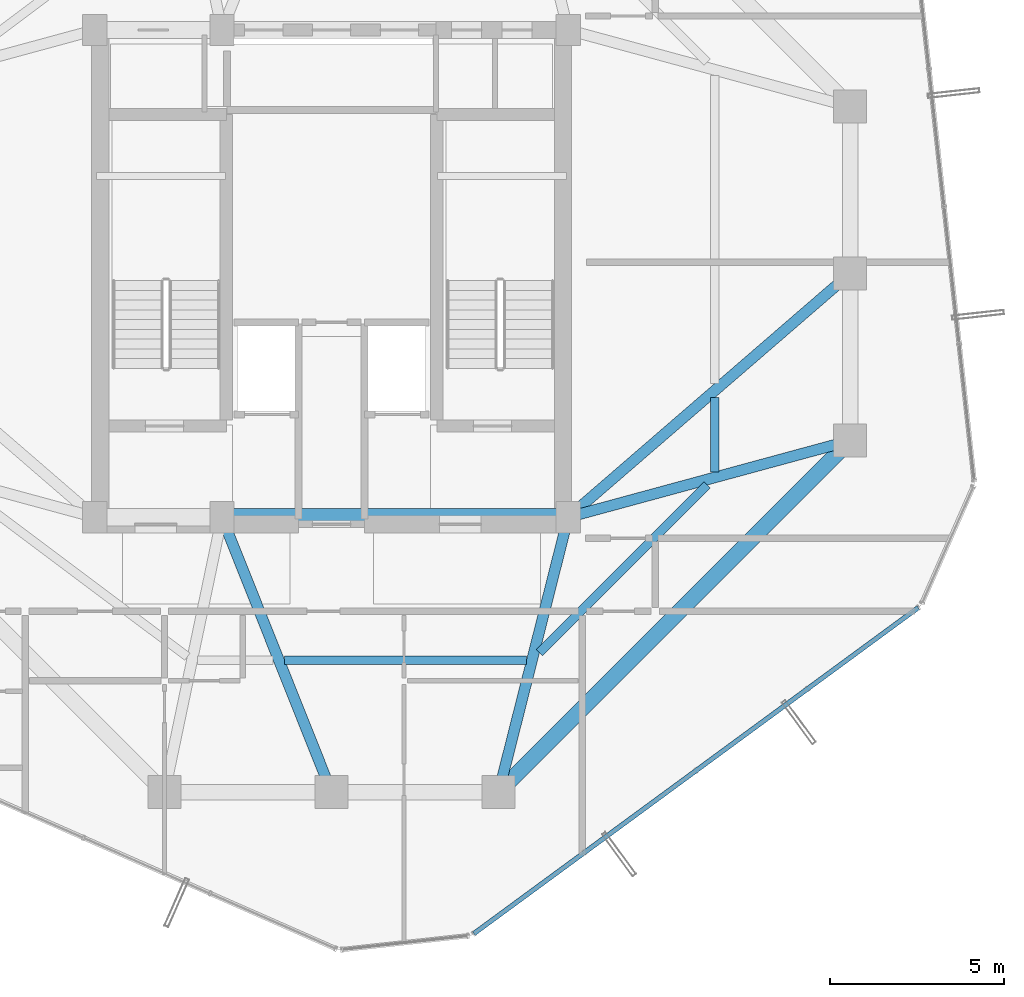
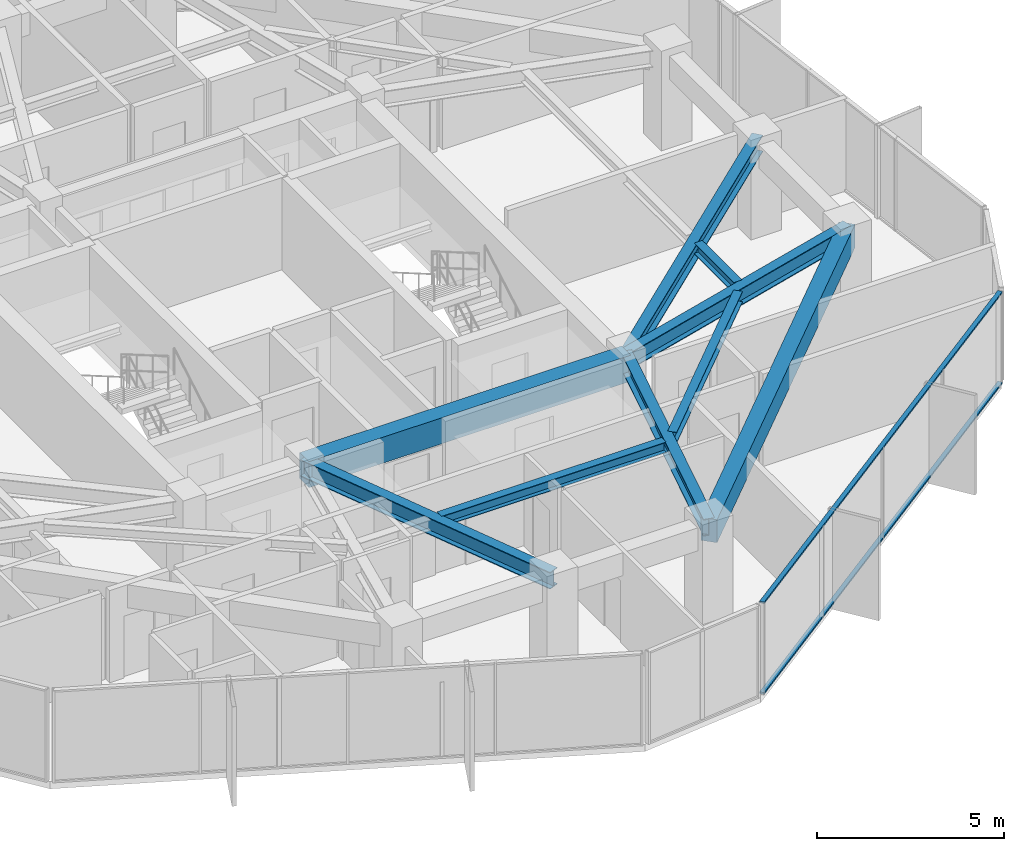
# One storey, part 9 of 32: 9 beams, 2 members, 1 element without a shape of its own.
"""IFC4 building model written with IfcOpenShell, lengths in metres."""

from ifc_helpers import new_model, si_unit, direction, frame, origin, origin_2d, place, context, subcontext, project, spatial, rectangle, hollow_rectangle, i_section, extrude, source, transform, mapped, material, layer, layer_set, material_profile, profile_set, type_object, element, aggregate, save


model = new_model("IFC4")

# Units and contexts
model_context = context("Model", 3, precision=1e-05, world=origin(), true_north=direction((0.0, 1.0)))
body_context = subcontext(model_context, "Body", "Model", "MODEL_VIEW")
ifc_project = project(units=[si_unit("LENGTHUNIT", "METRE"), si_unit("AREAUNIT", "SQUARE_METRE"), si_unit("VOLUMEUNIT", "CUBIC_METRE"), si_unit("PLANEANGLEUNIT", "RADIAN"), si_unit("MASSUNIT", "GRAM", prefix="KILO")], contexts=[model_context])

# Site, building, storey
site_placement = place(None, origin())
site = spatial("IfcSite", under=ifc_project, at=site_placement, CompositionType="ELEMENT")
building_placement = place(site_placement, origin())
building = spatial("IfcBuilding", under=site, at=building_placement, Name="Veraguas Prism Commons", CompositionType="ELEMENT")
storey_placement = place(building_placement, frame((0.0, 0.0, 185.35009765625)))
storey = spatial("IfcBuildingStorey", under=building, at=storey_placement, Name="L52", CompositionType="ELEMENT", Elevation=185.35009765625)

# Beams
ifc_material_1 = material(Name="Concrete C50/60", Category="concrete")
ifc_material_profile_1 = material_profile(ifc_material_1, rectangle(XDim=0.5, YDim=0.85009765625, at=origin_2d()), Name="RC500X850")
ifc_profile_set_1 = profile_set([ifc_material_profile_1], Name="Concrete C50/60")
beam_type_1 = type_object("IfcBeamType", Name="Core Coupling Beam RC 500x850", PredefinedType="BEAM", material=ifc_profile_set_1)
beam_1_placement = place(storey_placement, frame((20.85009765625, 17.0, 2.58984375), z_axis=(1.0, 0.0, 0.0), x_axis=(0.0, 1.0, 0.0)))
element("IfcBeam", 1, at=beam_1_placement, inside=storey, type_object=beam_type_1, Name="Core Coupling Beam L52-CRS2", PredefinedType="BEAM", context=body_context, shape_type="SweptSolid", body=[
    extrude(rectangle(XDim=0.5, YDim=0.85009765625, at=origin_2d()), origin(), (0.0, 0.0, 1.0), 9.949951171875),
])
ifc_material_profile_2 = material_profile(ifc_material_1, rectangle(XDim=0.449951171875, YDim=0.75, at=origin_2d()), Name="RC450X750")
ifc_profile_set_2 = profile_set([ifc_material_profile_2], Name="Concrete C50/60")
beam_type_2 = type_object("IfcBeamType", Name="Perimeter Spandrel Upper RC 450x750", PredefinedType="SPANDREL", material=ifc_profile_set_2)
beam_2_placement = place(storey_placement, frame((28.800048828125, 9.10009765625, 2.639892578125), z_axis=(0.707106781187, 0.707106781187, 0.0), x_axis=(-0.707106781187, 0.707106781187, 0.0)))
element("IfcBeam", 2, at=beam_2_placement, inside=storey, type_object=beam_type_2, Name="Perimeter Spandrel Beam L52-SP12", PredefinedType="SPANDREL", context=body_context, shape_type="SweptSolid", body=[
    extrude(rectangle(XDim=0.449951171875, YDim=0.75, at=origin_2d()), origin(), (0.0, 0.0, 1.0), 14.283447265625),
])
ifc_material_2 = material(Name="Steel ASTM A992 Grade 50", Category="steel")
ifc_material_profile_3 = material_profile(ifc_material_2, i_section(OverallWidth=0.25390625, OverallDepth=0.35302734375, WebThickness=0.009521484375, FlangeThickness=0.016357421875, at=origin_2d()), Name="W360X91")
ifc_profile_set_3 = profile_set([ifc_material_profile_3], Name="Steel ASTM A992 Grade 50")
beam_type_3 = type_object("IfcBeamType", Name="Upper Floor Joist W360x91", PredefinedType="JOIST", material=ifc_profile_set_3)
beam_3_placement = place(storey_placement, frame((35.011962890625, 18.302978515625, 2.83837890625), z_axis=(0.0, 1.0, 0.0), x_axis=(-1.0, 0.0, 0.0)))
element("IfcBeam", 3, at=beam_3_placement, inside=storey, type_object=beam_type_3, Name="Composite Floor Joist L52-JS01", PredefinedType="JOIST", context=body_context, shape_type="SweptSolid", body=[
    extrude(i_section(OverallWidth=0.25390625, OverallDepth=0.35302734375, WebThickness=0.009521484375, FlangeThickness=0.016357421875, at=origin_2d()), origin(), (0.0, 0.0, 1.0), 2.134033203125),
])
beam_4_placement = place(storey_placement, frame((22.6533203125, 12.89208984375, 2.83837890625), z_axis=(1.0, 0.0, 0.0), x_axis=(0.0, 1.0, 0.0)))
element("IfcBeam", 4, at=beam_4_placement, inside=storey, type_object=beam_type_3, Name="Composite Floor Joist L52-JS11", PredefinedType="JOIST", context=body_context, shape_type="SweptSolid", body=[
    extrude(i_section(OverallWidth=0.25390625, OverallDepth=0.35302734375, WebThickness=0.009521484375, FlangeThickness=0.016357421875, at=origin_2d()), origin(), (0.0, 0.0, 1.0), 6.948486328125),
])
beam_5_placement = place(storey_placement, frame((29.971923828125, 13.10400390625, 2.83837890625), z_axis=(0.707124682851, 0.707088879069, 0.0), x_axis=(-0.707088879069, 0.707124682851, 0.0)))
element("IfcBeam", 5, at=beam_5_placement, inside=storey, type_object=beam_type_3, Name="Composite Floor Joist L52-JS12", PredefinedType="JOIST", context=body_context, shape_type="SweptSolid", body=[
    extrude(i_section(OverallWidth=0.25390625, OverallDepth=0.35302734375, WebThickness=0.009521484375, FlangeThickness=0.016357421875, at=origin_2d()), origin(), (0.0, 0.0, 1.0), 6.81884765625),
])
ifc_material_profile_4 = material_profile(ifc_material_2, i_section(OverallWidth=0.31103515625, OverallDepth=0.5458984375, WebThickness=0.0146484375, FlangeThickness=0.023681640625, at=origin_2d()), Name="W530X165")
ifc_profile_set_4 = profile_set([ifc_material_profile_4], Name="Steel ASTM A992 Grade 50")
beam_type_4 = type_object("IfcBeamType", Name="Zone 3 Radial Girder W530x165", PredefinedType="BEAM", material=ifc_profile_set_4)
beam_6_placement = place(storey_placement, frame((38.89990234375, 19.199951171875, 2.741943359375), z_axis=(-0.965038506703, -0.262108146725, 0.0), x_axis=(0.262108146725, -0.965038506703, 0.0)))
element("IfcBeam", 6, at=beam_6_placement, inside=storey, type_object=beam_type_4, Name="Radial Floor Girder L52-RD01", PredefinedType="BEAM", context=body_context, shape_type="SweptSolid", body=[
    extrude(i_section(OverallWidth=0.31103515625, OverallDepth=0.5458984375, WebThickness=0.0146484375, FlangeThickness=0.023681640625, at=origin_2d()), origin(), (0.0, 0.0, 1.0), 8.393310546875),
])
beam_7_placement = place(storey_placement, frame((38.89990234375, 24.0, 2.741943359375), z_axis=(-0.756607086554, -0.653869800936, 0.0), x_axis=(0.653869800936, -0.756607086554, 0.0)))
element("IfcBeam", 7, at=beam_7_placement, inside=storey, type_object=beam_type_4, Name="Radial Floor Girder L52-RD02", PredefinedType="BEAM", context=body_context, shape_type="SweptSolid", body=[
    extrude(i_section(OverallWidth=0.31103515625, OverallDepth=0.5458984375, WebThickness=0.0146484375, FlangeThickness=0.023681640625, at=origin_2d()), origin(), (0.0, 0.0, 1.0), 10.70556640625),
])
beam_8_placement = place(storey_placement, frame((24.0, 9.10009765625, 2.741943359375), z_axis=(-0.370370877803, 0.928883960931, 0.0), x_axis=(-0.928883960931, -0.370370877803, 0.0)))
element("IfcBeam", 8, at=beam_8_placement, inside=storey, type_object=beam_type_4, Name="Radial Floor Girder L52-RD11", PredefinedType="BEAM", context=body_context, shape_type="SweptSolid", body=[
    extrude(i_section(OverallWidth=0.31103515625, OverallDepth=0.5458984375, WebThickness=0.0146484375, FlangeThickness=0.023681640625, at=origin_2d()), origin(), (0.0, 0.0, 1.0), 8.504638671875),
])
beam_9_placement = place(storey_placement, frame((28.800048828125, 9.10009765625, 2.741943359375), z_axis=(0.245424718066, 0.969415652732, 0.0), x_axis=(-0.969415652732, 0.245424718066, 0.0)))
element("IfcBeam", 9, at=beam_9_placement, inside=storey, type_object=beam_type_4, Name="Radial Floor Girder L52-RD12", PredefinedType="BEAM", context=body_context, shape_type="SweptSolid", body=[
    extrude(i_section(OverallWidth=0.31103515625, OverallDepth=0.5458984375, WebThickness=0.0146484375, FlangeThickness=0.023681640625, at=origin_2d()), origin(), (0.0, 0.0, 1.0), 8.149169921875),
])

# Curtain wall, members
ifc_material_3 = material(Name="Anodised aluminium EN AW-6063 T6", Category="aluminium")
ifc_layer = layer(ifc_material_3, 0.14990234375, Name="Unitised Flush Curtain Wall Zone 3", Category="aluminium")
ifc_layer_set = layer_set([ifc_layer], Name="Anodised aluminium EN AW-6063 T6")
curtain_wall_type = type_object("IfcCurtainWallType", Name="Unitised Flush Curtain Wall Zone 3", PredefinedType="NOTDEFINED", material=ifc_layer_set)
curtain_wall_placement = place(storey_placement, origin())
curtain_wall = element("IfcCurtainWall", 10, at=curtain_wall_placement, inside=storey, type_object=curtain_wall_type, Name="Tower Facade Curtain Wall L52-F5", PredefinedType="NOTDEFINED")
ifc_material_profile_5 = material_profile(ifc_material_3, hollow_rectangle(XDim=0.054931640625, YDim=0.135009765625, WallThickness=0.0029296875, at=origin_2d()), Name="AL55X135X3")
ifc_profile_set_5 = profile_set([ifc_material_profile_5], Name="Anodised aluminium EN AW-6063 T6")
member_type = type_object("IfcMemberType", Name="Curtain Wall Transom Standard AL 55x135x3", PredefinedType="USERDEFINED", material=ifc_profile_set_5)
shared_shape = source(origin(), body_context, "Body", "SweptSolid", [
    extrude(hollow_rectangle(XDim=0.054931640625, YDim=0.135009765625, WallThickness=0.0029296875, at=origin_2d()), origin(), (0.0, 0.0, 1.0), 15.842529296875),
])
member_1_placement = place(storey_placement, frame((28.08740234375, 5.034423828125, 0.02734375), z_axis=(0.80633836042, 0.591454519397, 0.0), x_axis=(0.0, 0.0, 1.0)))
member_1 = element("IfcMember", 11, at=member_1_placement, type_object=member_type, Name="CW-Z3 Transom 1", ObjectType="TRANSOM", PredefinedType="USERDEFINED", context=body_context, shape_type="MappedRepresentation", body=[
    mapped(shared_shape, transform((0.0, 0.0, 0.0), scale=1.0)),
])
member_2_placement = place(storey_placement, frame((28.08740234375, 5.034423828125, 2.9873046875), z_axis=(0.80633836042, 0.591454519397, 0.0), x_axis=(0.0, 0.0, 1.0)))
member_2 = element("IfcMember", 12, at=member_2_placement, type_object=member_type, Name="CW-Z3 Transom 2", ObjectType="TRANSOM", PredefinedType="USERDEFINED", context=body_context, shape_type="MappedRepresentation", body=[
    mapped(shared_shape, transform((0.0, 0.0, 0.0), scale=1.0)),
])
aggregate(curtain_wall, [member_1, member_2])

save(model, "model.ifc")
